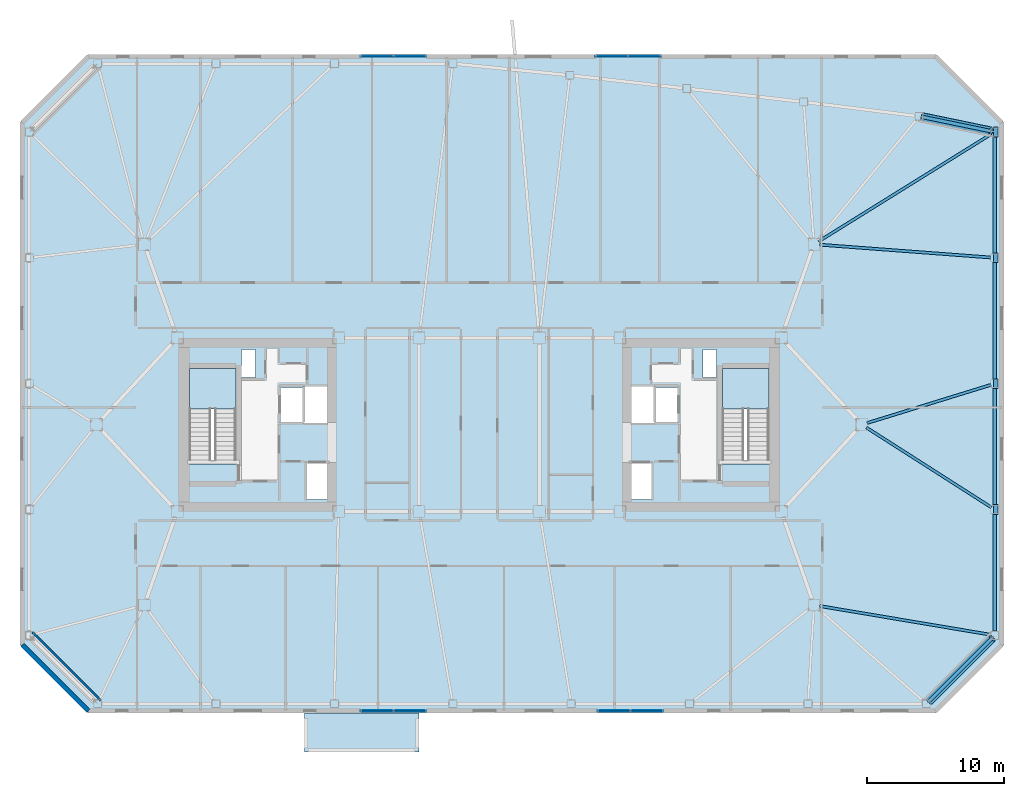
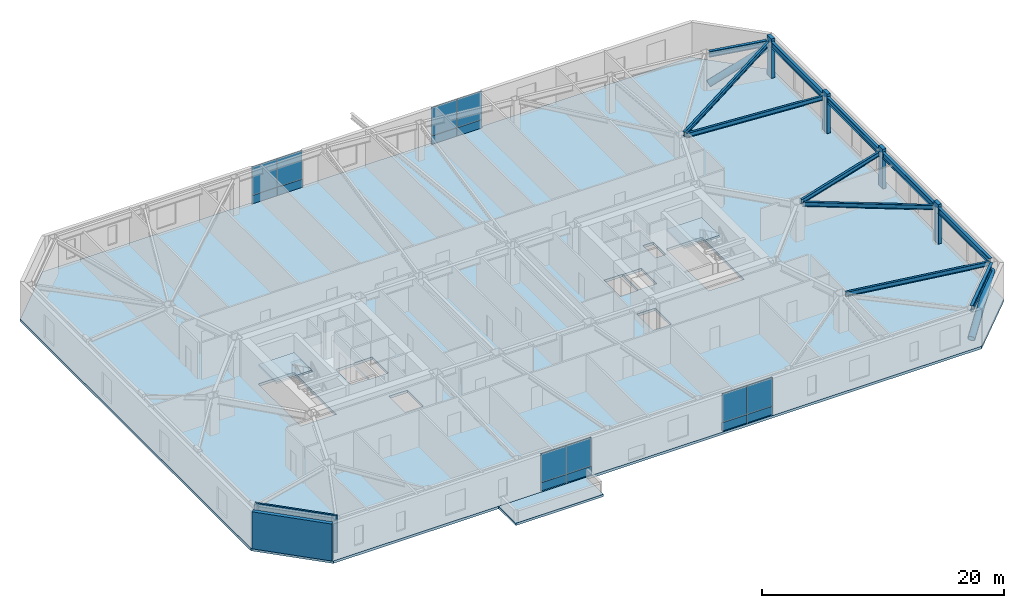
# One storey, part 9 of 18: 16 plates, 11 beams, 6 members, 4 slabs, 2 walls, 6 elements without a shape of their own.
"""IFC4 building model written with IfcOpenShell, lengths in metres."""

from ifc_helpers import new_model, si_unit, direction, frame, frame_2d, origin, origin_2d, place, context, subcontext, project, spatial, polyline, rectangle, hollow_circle, i_section, outline, extrude, material, layer, layer_set, material_profile, profile_set, type_object, element, aggregate, save


model = new_model("IFC4")

# Units and contexts
model_context = context("Model", 3, precision=1e-05, world=origin(), true_north=direction((0.0, 1.0)))
body_context = subcontext(model_context, "Body", "Model", "MODEL_VIEW")
ifc_project = project(units=[si_unit("LENGTHUNIT", "METRE"), si_unit("AREAUNIT", "SQUARE_METRE"), si_unit("VOLUMEUNIT", "CUBIC_METRE"), si_unit("PLANEANGLEUNIT", "RADIAN"), si_unit("MASSUNIT", "GRAM", prefix="KILO")], contexts=[model_context])

# Site, building, storey
site_placement = place(None, origin())
site = spatial("IfcSite", under=ifc_project, at=site_placement, CompositionType="ELEMENT")
building_placement = place(site_placement, origin())
building = spatial("IfcBuilding", under=site, at=building_placement, Name="Tavrogorsk Clinical Tower", CompositionType="ELEMENT")
storey_placement = place(building_placement, frame((0.0, 0.0, 168.199951171875)))
storey = spatial("IfcBuildingStorey", under=building, at=storey_placement, Name="L38", CompositionType="ELEMENT", Elevation=168.199951171875)

# Members
ifc_material_1 = material(Name="Structural steel S440", Category="steel")
ifc_material_profile_1 = material_profile(ifc_material_1, hollow_circle(Radius=0.304931640625, WallThickness=0.02490234375, at=origin_2d()), Name="CHS-610x25")
ifc_profile_set_1 = profile_set([ifc_material_profile_1], Name="Structural steel S440")
member_type_1 = type_object("IfcMemberType", Name="ExoBrace_CHS610", PredefinedType="BRACE", material=ifc_profile_set_1)
member_1_placement = place(storey_placement, frame((32.922607421875, -20.217529296875, 0.4130859375), z_axis=(0.657738695475, 0.657773644396, 0.3670335696), x_axis=(-0.707125566484, 0.70708799539, 0.0)))
element("IfcMember", 1, at=member_1_placement, inside=storey, type_object=member_type_1, Name="L38 Corner Exoskeleton Brace S8-E1", PredefinedType="BRACE", context=body_context, shape_type="SweptSolid", body=[
    extrude(hollow_circle(Radius=0.304931640625, WallThickness=0.02490234375, at=origin_2d()), origin(), (0.0, 0.0, 1.0), 6.985595703125),
])
member_2_placement = place(storey_placement, frame((32.461669921875, 22.509765625, 0.4365234375), z_axis=(0.877871206027, -0.181924853718, 0.442996042002), x_axis=(0.202922555913, 0.979194789764, 0.0)))
element("IfcMember", 2, at=member_2_placement, inside=storey, type_object=member_type_1, Name="L38 Corner Exoskeleton Brace E5-N1", PredefinedType="BRACE", context=body_context, shape_type="SweptSolid", body=[
    extrude(hollow_circle(Radius=0.304931640625, WallThickness=0.02490234375, at=origin_2d()), origin(), (0.0, 0.0, 1.0), 5.681884765625),
])

# Beams
ifc_material_2 = material(Name="Structural steel S355", Category="steel")
ifc_material_profile_2 = material_profile(ifc_material_2, i_section(OverallWidth=0.199951171875, OverallDepth=0.449951171875, WebThickness=0.011474609375, FlangeThickness=0.01806640625, at=origin_2d()), Name="B-450x200x11.5x18")
ifc_profile_set_2 = profile_set([ifc_material_profile_2], Name="Structural steel S355")
beam_type_1 = type_object("IfcBeamType", Name="FloorBeam_B450", PredefinedType="BEAM", material=ifc_profile_set_2)
beam_1_placement = place(storey_placement, frame((24.904296875, -13.267822265625, 3.51513671875), z_axis=(0.98619191169, -0.165606501434, 0.0), x_axis=(0.165606501434, 0.98619191169, 0.0)))
element("IfcBeam", 3, at=beam_1_placement, inside=storey, type_object=beam_type_1, Name="L38 Radial Floor Beam E1", PredefinedType="BEAM", context=body_context, shape_type="SweptSolid", body=[
    extrude(i_section(OverallWidth=0.199951171875, OverallDepth=0.449951171875, WebThickness=0.011474609375, FlangeThickness=0.01806640625, at=origin_2d()), origin(), (0.0, 0.0, 1.0), 12.687255859375),
])
beam_2_placement = place(storey_placement, frame((28.345458984375, -0.220703125, 3.51513671875), z_axis=(0.842695406435, -0.538390612821, 0.0), x_axis=(0.538390612821, 0.842695406435, 0.0)))
element("IfcBeam", 4, at=beam_2_placement, inside=storey, type_object=beam_type_1, Name="L38 Radial Floor Beam E2", PredefinedType="BEAM", context=body_context, shape_type="SweptSolid", body=[
    extrude(i_section(OverallWidth=0.199951171875, OverallDepth=0.449951171875, WebThickness=0.011474609375, FlangeThickness=0.01806640625, at=origin_2d()), origin(), (0.0, 0.0, 1.0), 10.81640625),
])
beam_3_placement = place(storey_placement, frame((28.391845703125, 0.120849609375, 3.51513671875), z_axis=(0.955521252098, 0.294922255499, 0.0), x_axis=(-0.294922255499, 0.955521252098, 0.0)))
element("IfcBeam", 5, at=beam_3_placement, inside=storey, type_object=beam_type_1, Name="L38 Radial Floor Beam E3", PredefinedType="BEAM", context=body_context, shape_type="SweptSolid", body=[
    extrude(i_section(OverallWidth=0.199951171875, OverallDepth=0.449951171875, WebThickness=0.011474609375, FlangeThickness=0.01806640625, at=origin_2d()), origin(), (0.0, 0.0, 1.0), 9.454345703125),
])
beam_4_placement = place(storey_placement, frame((24.908935546875, 13.16943359375, 3.51513671875), z_axis=(0.99720685587, -0.074689267009, 0.0), x_axis=(0.074689267009, 0.99720685587, 0.0)))
element("IfcBeam", 6, at=beam_4_placement, inside=storey, type_object=beam_type_1, Name="L38 Radial Floor Beam E4", PredefinedType="BEAM", context=body_context, shape_type="SweptSolid", body=[
    extrude(i_section(OverallWidth=0.199951171875, OverallDepth=0.449951171875, WebThickness=0.011474609375, FlangeThickness=0.01806640625, at=origin_2d()), origin(), (0.0, 0.0, 1.0), 12.538818359375),
])
beam_5_placement = place(storey_placement, frame((24.84814453125, 13.41650390625, 3.51513671875), z_axis=(0.849226346116, 0.528028988846, 0.0), x_axis=(-0.528028988846, 0.849226346116, 0.0)))
element("IfcBeam", 7, at=beam_5_placement, inside=storey, type_object=beam_type_1, Name="L38 Radial Floor Beam E5", PredefinedType="BEAM", context=body_context, shape_type="SweptSolid", body=[
    extrude(i_section(OverallWidth=0.199951171875, OverallDepth=0.449951171875, WebThickness=0.011474609375, FlangeThickness=0.01806640625, at=origin_2d()), origin(), (0.0, 0.0, 1.0), 14.84912109375),
])

# Members
ifc_material_3 = material(Name="Precast concrete B45 with limestone cladding", Category="masonry")
ifc_material_profile_3 = material_profile(ifc_material_3, rectangle(XDim=0.320068359375, YDim=0.719970703125, at=origin_2d()), Name="LIMESTONE-FIN-320x720")
ifc_profile_set_3 = profile_set([ifc_material_profile_3], Name="Precast concrete B45 with limestone cladding")
member_type_2 = type_object("IfcMemberType", Name="LimestonePleatFin_320x720", PredefinedType="USERDEFINED", material=ifc_profile_set_3)
for number, where, z_axis, x_axis, name in (
    (8, (37.800048828125, -6.2099609375, 0.0), (0.0, 0.0, 1.0), (1.0, 0.0, 0.0), "L38 E Pleated Stone Fin 1"),
    (9, (37.800048828125, 3.0, 0.0), (0.0, 0.0, 1.0), (1.0, 0.0, 0.0), "L38 E Pleated Stone Fin 2"),
    (10, (37.800048828125, 12.2099609375, 0.0), (0.0, 0.0, 1.0), (1.0, 0.0, 0.0), "L38 E Pleated Stone Fin 3"),
    (11, (37.800048828125, 21.419921875, 0.0), (0.0, 0.0, 1.0), (1.0, 0.0, 0.0), "L38 E Pleated Stone Fin 4"),
):
    element("IfcMember", number, at=place(storey_placement, frame(where, z_axis=z_axis, x_axis=x_axis)), inside=storey, type_object=member_type_2, Name=name, ObjectType="FIN", PredefinedType="USERDEFINED", context=body_context, shape_type="SweptSolid", body=[
        extrude(rectangle(XDim=0.320068359375, YDim=0.719970703125, at=origin_2d()), origin(), (0.0, 0.0, 1.0), 4.0),
    ])

# Beams
ifc_material_4 = material(Name="Structural steel S390", Category="steel")
ifc_material_profile_4 = material_profile(ifc_material_4, i_section(OverallWidth=0.260009765625, OverallDepth=0.60009765625, WebThickness=0.014892578125, FlangeThickness=0.02392578125, at=origin_2d()), Name="B-600x260x15x24")
ifc_profile_set_4 = profile_set([ifc_material_profile_4], Name="Structural steel S390")
beam_type_2 = type_object("IfcBeamType", Name="SpandrelBeam_B600", PredefinedType="SPANDREL", material=ifc_profile_set_4)
beam_6_placement = place(storey_placement, frame((32.937744140625, -20.2021484375, 3.43994140625), z_axis=(0.707106781187, 0.707106781187, 0.0), x_axis=(-0.707106781187, 0.707106781187, 0.0)))
element("IfcBeam", 12, at=beam_6_placement, inside=storey, type_object=beam_type_2, Name="L38 Perimeter Spandrel S8-E1", PredefinedType="SPANDREL", context=body_context, shape_type="SweptSolid", body=[
    extrude(i_section(OverallWidth=0.260009765625, OverallDepth=0.60009765625, WebThickness=0.014892578125, FlangeThickness=0.02392578125, at=origin_2d()), origin(), (0.0, 0.0, 1.0), 6.455078125),
])
for number, where, z_axis, x_axis, name in (
    (13, (37.719970703125, -15.112060546875, 3.43994140625), (0.0, 1.0, 0.0), (-1.0, 0.0, 0.0), "L38 Perimeter Spandrel E1-E2"),
    (14, (37.719970703125, -5.902099609375, 3.43994140625), (0.0, 1.0, 0.0), (-1.0, 0.0, 0.0), "L38 Perimeter Spandrel E2-E3"),
    (15, (37.719970703125, 3.30810546875, 3.43994140625), (0.0, 1.0, 0.0), (-1.0, 0.0, 0.0), "L38 Perimeter Spandrel E3-E4"),
    (16, (37.719970703125, 12.51806640625, 3.43994140625), (0.0, 1.0, 0.0), (-1.0, 0.0, 0.0), "L38 Perimeter Spandrel E4-E5"),
):
    element("IfcBeam", number, at=place(storey_placement, frame(where, z_axis=z_axis, x_axis=x_axis)), inside=storey, type_object=beam_type_2, Name=name, PredefinedType="SPANDREL", context=body_context, shape_type="SweptSolid", body=[
        extrude(i_section(OverallWidth=0.260009765625, OverallDepth=0.60009765625, WebThickness=0.014892578125, FlangeThickness=0.02392578125, at=origin_2d()), origin(), (0.0, 0.0, 1.0), 8.593994140625),
    ])
beam_7_placement = place(storey_placement, frame((37.41845703125, 21.482421875, 3.43994140625), z_axis=(-0.979184643877, 0.202971508337, 0.0), x_axis=(-0.202971508337, -0.979184643877, 0.0)))
element("IfcBeam", 17, at=beam_7_placement, inside=storey, type_object=beam_type_2, Name="L38 Perimeter Spandrel E5-N1", PredefinedType="SPANDREL", context=body_context, shape_type="SweptSolid", body=[
    extrude(i_section(OverallWidth=0.260009765625, OverallDepth=0.60009765625, WebThickness=0.014892578125, FlangeThickness=0.02392578125, at=origin_2d()), origin(), (0.0, 0.0, 1.0), 5.0302734375),
])

# Curtain wall, plates
ifc_material_5 = material(Name="Anodised aluminium and triple IGU glazing", Category="aluminium")
ifc_layer_1 = layer(ifc_material_5, 0.179931640625)
ifc_layer_set_1 = layer_set([ifc_layer_1], Name="Anodised aluminium and triple IGU glazing")
curtain_wall_type_1 = type_object("IfcCurtainWallType", Name="CW3_SouthSlot", PredefinedType="NOTDEFINED", material=ifc_layer_set_1)
curtain_wall_1_placement = place(storey_placement, origin())
curtain_wall_1 = element("IfcCurtainWall", 18, at=curtain_wall_1_placement, inside=storey, type_object=curtain_wall_type_1, Name="L38 Curtain Wall CW-L38-S-SLOT-1", PredefinedType="NOTDEFINED")
ifc_material_6 = material(Name="Honed Podolsk limestone spandrel panel", Category="masonry")
ifc_layer_2 = layer(ifc_material_6, 0.080078125)
ifc_layer_set_2 = layer_set([ifc_layer_2], Name="Honed Podolsk limestone spandrel panel")
plate_type_1 = type_object("IfcPlateType", Name="CwSpandrelStonePanel_80", PredefinedType="CURTAIN_PANEL", material=ifc_layer_set_2)
plate_1_placement = place(storey_placement, frame((-7.470947265625, -20.929931640625, 0.002197265625), z_axis=(0.0, 0.0, 1.0), x_axis=(1.0, 0.0, 0.0)))
plate_1 = element("IfcPlate", 19, at=plate_1_placement, type_object=plate_type_1, Name="CW-L38-S-SLOT-1 Stone Spandrel Panel 1", PredefinedType="CURTAIN_PANEL", context=body_context, shape_type="SweptSolid", body=[
    extrude(rectangle(XDim=2.39208984375, YDim=0.080078125, at=origin_2d()), origin(), (0.0, 0.0, 1.0), 0.8359375),
])
plate_2_placement = place(storey_placement, frame((-5.054931640625, -20.929931640625, 0.002197265625), z_axis=(0.0, 0.0, 1.0), x_axis=(1.0, 0.0, 0.0)))
plate_2 = element("IfcPlate", 20, at=plate_2_placement, type_object=plate_type_1, Name="CW-L38-S-SLOT-1 Stone Spandrel Panel 2", PredefinedType="CURTAIN_PANEL", context=body_context, shape_type="SweptSolid", body=[
    extrude(rectangle(XDim=2.39208984375, YDim=0.080078125, at=origin_2d()), origin(), (0.0, 0.0, 1.0), 0.8359375),
])

curtain_wall_2_placement = place(storey_placement, origin())
curtain_wall_2 = element("IfcCurtainWall", 21, at=curtain_wall_2_placement, inside=storey, type_object=curtain_wall_type_1, Name="L38 Curtain Wall CW-L38-S-SLOT-2", PredefinedType="NOTDEFINED")
plate_3_placement = place(storey_placement, frame((9.854736328125, -20.929931640625, 0.002197265625), z_axis=(0.0, 0.0, 1.0), x_axis=(1.0, 0.0, 0.0)))
plate_3 = element("IfcPlate", 22, at=plate_3_placement, type_object=plate_type_1, Name="CW-L38-S-SLOT-2 Stone Spandrel Panel 1", PredefinedType="CURTAIN_PANEL", context=body_context, shape_type="SweptSolid", body=[
    extrude(rectangle(XDim=2.39208984375, YDim=0.080078125, at=origin_2d()), origin(), (0.0, 0.0, 1.0), 0.8359375),
])
plate_4_placement = place(storey_placement, frame((12.270751953125, -20.929931640625, 0.002197265625), z_axis=(0.0, 0.0, 1.0), x_axis=(1.0, 0.0, 0.0)))
plate_4 = element("IfcPlate", 23, at=plate_4_placement, type_object=plate_type_1, Name="CW-L38-S-SLOT-2 Stone Spandrel Panel 2", PredefinedType="CURTAIN_PANEL", context=body_context, shape_type="SweptSolid", body=[
    extrude(rectangle(XDim=2.39208984375, YDim=0.080078125, at=origin_2d()), origin(), (0.0, 0.0, 1.0), 0.8359375),
])

ifc_material_7 = material(Name="Anodised aluminium and triple IGU glazing", Category="aluminium")
ifc_layer_3 = layer(ifc_material_7, 0.179931640625)
ifc_layer_set_3 = layer_set([ifc_layer_3], Name="Anodised aluminium and triple IGU glazing")
curtain_wall_type_2 = type_object("IfcCurtainWallType", Name="CW2_NorthSlot", PredefinedType="NOTDEFINED", material=ifc_layer_set_3)
curtain_wall_3_placement = place(storey_placement, origin())
curtain_wall_3 = element("IfcCurtainWall", 24, at=curtain_wall_3_placement, inside=storey, type_object=curtain_wall_type_2, Name="L38 Curtain Wall CW-L38-N-SLOT-1", PredefinedType="NOTDEFINED")
plate_5_placement = place(storey_placement, frame((-5.054931640625, 26.929931640625, 0.002197265625), z_axis=(0.0, 0.0, 1.0), x_axis=(-1.0, 0.0, 0.0)))
plate_5 = element("IfcPlate", 25, at=plate_5_placement, type_object=plate_type_1, Name="CW-L38-N-SLOT-1 Stone Spandrel Panel 1", PredefinedType="CURTAIN_PANEL", context=body_context, shape_type="SweptSolid", body=[
    extrude(rectangle(XDim=2.39208984375, YDim=0.080078125, at=origin_2d()), origin(), (0.0, 0.0, 1.0), 0.8359375),
])
plate_6_placement = place(storey_placement, frame((-7.470947265625, 26.929931640625, 0.002197265625), z_axis=(0.0, 0.0, 1.0), x_axis=(-1.0, 0.0, 0.0)))
plate_6 = element("IfcPlate", 26, at=plate_6_placement, type_object=plate_type_1, Name="CW-L38-N-SLOT-1 Stone Spandrel Panel 2", PredefinedType="CURTAIN_PANEL", context=body_context, shape_type="SweptSolid", body=[
    extrude(rectangle(XDim=2.39208984375, YDim=0.080078125, at=origin_2d()), origin(), (0.0, 0.0, 1.0), 0.8359375),
])

curtain_wall_4_placement = place(storey_placement, origin())
curtain_wall_4 = element("IfcCurtainWall", 27, at=curtain_wall_4_placement, inside=storey, type_object=curtain_wall_type_2, Name="L38 Curtain Wall CW-L38-N-SLOT-2", PredefinedType="NOTDEFINED")
plate_7_placement = place(storey_placement, frame((12.1181640625, 26.929931640625, 0.002197265625), z_axis=(0.0, 0.0, 1.0), x_axis=(-1.0, 0.0, 0.0)))
plate_7 = element("IfcPlate", 28, at=plate_7_placement, type_object=plate_type_1, Name="CW-L38-N-SLOT-2 Stone Spandrel Panel 1", PredefinedType="CURTAIN_PANEL", context=body_context, shape_type="SweptSolid", body=[
    extrude(rectangle(XDim=2.39208984375, YDim=0.080078125, at=origin_2d()), origin(), (0.0, 0.0, 1.0), 0.8359375),
])
plate_8_placement = place(storey_placement, frame((9.7021484375, 26.929931640625, 0.002197265625), z_axis=(0.0, 0.0, 1.0), x_axis=(-1.0, 0.0, 0.0)))
plate_8 = element("IfcPlate", 29, at=plate_8_placement, type_object=plate_type_1, Name="CW-L38-N-SLOT-2 Stone Spandrel Panel 2", PredefinedType="CURTAIN_PANEL", context=body_context, shape_type="SweptSolid", body=[
    extrude(rectangle(XDim=2.39208984375, YDim=0.080078125, at=origin_2d()), origin(), (0.0, 0.0, 1.0), 0.8359375),
])

# Plate
ifc_material_8 = material(Name="Triple low-E argon insulated glass", Category="glass")
ifc_layer_4 = layer(ifc_material_8, 0.048095703125)
ifc_layer_set_4 = layer_set([ifc_layer_4], Name="Triple low-E argon insulated glass")
plate_type_2 = type_object("IfcPlateType", Name="CwVisionGlassPanel_48", PredefinedType="CURTAIN_PANEL", material=ifc_layer_set_4)
plate_9_placement = place(storey_placement, frame((-7.470947265625, -20.929931640625, 0.862060546875), z_axis=(0.0, 0.0, 1.0), x_axis=(1.0, 0.0, 0.0)))
plate_9 = element("IfcPlate", 30, at=plate_9_placement, type_object=plate_type_2, Name="CW-L38-S-SLOT-1 Glazing Panel 1", PredefinedType="CURTAIN_PANEL", context=body_context, shape_type="SweptSolid", body=[
    extrude(rectangle(XDim=2.39208984375, YDim=0.048095703125, at=origin_2d()), origin(), (0.0, 0.0, 1.0), 2.8759765625),
])

plate_10_placement = place(storey_placement, frame((-5.054931640625, -20.929931640625, 0.862060546875), z_axis=(0.0, 0.0, 1.0), x_axis=(1.0, 0.0, 0.0)))
plate_10 = element("IfcPlate", 31, at=plate_10_placement, type_object=plate_type_2, Name="CW-L38-S-SLOT-1 Glazing Panel 2", PredefinedType="CURTAIN_PANEL", context=body_context, shape_type="SweptSolid", body=[
    extrude(rectangle(XDim=2.39208984375, YDim=0.048095703125, at=origin_2d()), origin(), (0.0, 0.0, 1.0), 2.8759765625),
])

aggregate(curtain_wall_1, [plate_1, plate_9, plate_2, plate_10])

plate_11_placement = place(storey_placement, frame((9.854736328125, -20.929931640625, 0.862060546875), z_axis=(0.0, 0.0, 1.0), x_axis=(1.0, 0.0, 0.0)))
plate_11 = element("IfcPlate", 32, at=plate_11_placement, type_object=plate_type_2, Name="CW-L38-S-SLOT-2 Glazing Panel 1", PredefinedType="CURTAIN_PANEL", context=body_context, shape_type="SweptSolid", body=[
    extrude(rectangle(XDim=2.39208984375, YDim=0.048095703125, at=origin_2d()), origin(), (0.0, 0.0, 1.0), 2.8759765625),
])

plate_12_placement = place(storey_placement, frame((12.270751953125, -20.929931640625, 0.862060546875), z_axis=(0.0, 0.0, 1.0), x_axis=(1.0, 0.0, 0.0)))
plate_12 = element("IfcPlate", 33, at=plate_12_placement, type_object=plate_type_2, Name="CW-L38-S-SLOT-2 Glazing Panel 2", PredefinedType="CURTAIN_PANEL", context=body_context, shape_type="SweptSolid", body=[
    extrude(rectangle(XDim=2.39208984375, YDim=0.048095703125, at=origin_2d()), origin(), (0.0, 0.0, 1.0), 2.8759765625),
])

aggregate(curtain_wall_2, [plate_3, plate_11, plate_4, plate_12])

plate_13_placement = place(storey_placement, frame((-5.054931640625, 26.929931640625, 0.862060546875), z_axis=(0.0, 0.0, 1.0), x_axis=(-1.0, 0.0, 0.0)))
plate_13 = element("IfcPlate", 34, at=plate_13_placement, type_object=plate_type_2, Name="CW-L38-N-SLOT-1 Glazing Panel 1", PredefinedType="CURTAIN_PANEL", context=body_context, shape_type="SweptSolid", body=[
    extrude(rectangle(XDim=2.39208984375, YDim=0.048095703125, at=origin_2d()), origin(), (0.0, 0.0, 1.0), 2.8759765625),
])

plate_14_placement = place(storey_placement, frame((-7.470947265625, 26.929931640625, 0.862060546875), z_axis=(0.0, 0.0, 1.0), x_axis=(-1.0, 0.0, 0.0)))
plate_14 = element("IfcPlate", 35, at=plate_14_placement, type_object=plate_type_2, Name="CW-L38-N-SLOT-1 Glazing Panel 2", PredefinedType="CURTAIN_PANEL", context=body_context, shape_type="SweptSolid", body=[
    extrude(rectangle(XDim=2.39208984375, YDim=0.048095703125, at=origin_2d()), origin(), (0.0, 0.0, 1.0), 2.8759765625),
])

aggregate(curtain_wall_3, [plate_5, plate_13, plate_6, plate_14])

plate_15_placement = place(storey_placement, frame((12.1181640625, 26.929931640625, 0.862060546875), z_axis=(0.0, 0.0, 1.0), x_axis=(-1.0, 0.0, 0.0)))
plate_15 = element("IfcPlate", 36, at=plate_15_placement, type_object=plate_type_2, Name="CW-L38-N-SLOT-2 Glazing Panel 1", PredefinedType="CURTAIN_PANEL", context=body_context, shape_type="SweptSolid", body=[
    extrude(rectangle(XDim=2.39208984375, YDim=0.048095703125, at=origin_2d()), origin(), (0.0, 0.0, 1.0), 2.8759765625),
])

plate_16_placement = place(storey_placement, frame((9.7021484375, 26.929931640625, 0.862060546875), z_axis=(0.0, 0.0, 1.0), x_axis=(-1.0, 0.0, 0.0)))
plate_16 = element("IfcPlate", 37, at=plate_16_placement, type_object=plate_type_2, Name="CW-L38-N-SLOT-2 Glazing Panel 2", PredefinedType="CURTAIN_PANEL", context=body_context, shape_type="SweptSolid", body=[
    extrude(rectangle(XDim=2.39208984375, YDim=0.048095703125, at=origin_2d()), origin(), (0.0, 0.0, 1.0), 2.8759765625),
])

aggregate(curtain_wall_4, [plate_7, plate_15, plate_8, plate_16])

# Slab
ifc_material_9 = material(Name="Concrete B60", Category="concrete")
ifc_layer_5 = layer(ifc_material_9, 0.239990234375)
ifc_layer_set_5 = layer_set([ifc_layer_5], Name="Concrete B60")
slab_type_1 = type_object("IfcSlabType", Name="DayroomSlab_240", PredefinedType="FLOOR", material=ifc_layer_set_5)
slab_1_placement = place(storey_placement, frame((0.0, 0.0, -0.239990234375)))
element("IfcSlab", 38, at=slab_1_placement, inside=storey, type_object=slab_type_1, Name="L38 Day-Room Box Roof DRB-05", PredefinedType="ROOF", context=body_context, shape_type="SweptSolid", body=[
    extrude(outline(polyline([(-4.39990234375, -23.949951171875), (-12.800048828125, -23.949951171875), (-12.800048828125, -21.10009765625), (-4.39990234375, -21.10009765625), (-4.39990234375, -23.949951171875)])), origin(), (0.0, 0.0, 1.0), 0.239990234375),
])

# Stair, slab
ifc_material_10 = material(Name="Concrete B60", Category="concrete")
stair_type = type_object("IfcStairType", Name="CoreStairAssembly", PredefinedType="HALF_TURN_STAIR", material=ifc_material_10)
stair_1_placement = place(storey_placement, origin())
stair_1 = element("IfcStair", 39, at=stair_1_placement, inside=storey, type_object=stair_type, Name="L38 ST-W", PredefinedType="HALF_TURN_STAIR")
ifc_material_11 = material(Name="Concrete B60", Category="concrete")
ifc_layer_6 = layer(ifc_material_11, 0.199951171875)
ifc_layer_set_6 = layer_set([ifc_layer_6], Name="Concrete B60")
slab_type_2 = type_object("IfcSlabType", Name="StairLanding_200", PredefinedType="LANDING", material=ifc_layer_set_6)
slab_2_placement = place(storey_placement, frame((0.0, 0.0, 1.800048828125)))
slab_2 = element("IfcSlab", 40, at=slab_2_placement, type_object=slab_type_2, Name="ST-W landing 1", PredefinedType="LANDING", context=body_context, shape_type="SweptSolid", body=[
    extrude(outline(polyline([(-17.800048828125, 1.1650390625), (-17.800048828125, 4.125), (-21.199951171875, 4.125), (-21.199951171875, 1.1650390625), (-17.800048828125, 1.1650390625)])), origin(), (0.0, 0.0, 1.0), 0.199951171875),
])
aggregate(stair_1, [slab_2])

stair_2_placement = place(storey_placement, origin())
stair_2 = element("IfcStair", 41, at=stair_2_placement, inside=storey, type_object=stair_type, Name="L38 ST-E", PredefinedType="HALF_TURN_STAIR")
slab_3_placement = place(storey_placement, frame((0.0, 0.0, 1.800048828125)))
slab_3 = element("IfcSlab", 42, at=slab_3_placement, type_object=slab_type_2, Name="ST-E landing 1", PredefinedType="LANDING", context=body_context, shape_type="SweptSolid", body=[
    extrude(outline(polyline([(21.199951171875, 1.1650390625), (21.199951171875, 4.125), (17.800048828125, 4.125), (17.800048828125, 1.1650390625), (21.199951171875, 1.1650390625)])), origin(), (0.0, 0.0, 1.0), 0.199951171875),
])
aggregate(stair_2, [slab_3])

# Slab
ifc_material_12 = material(Name="Concrete B60", Category="concrete")
ifc_layer_7 = layer(ifc_material_12, 0.260009765625)
ifc_layer_set_7 = layer_set([ifc_layer_7], Name="Concrete B60")
slab_type_3 = type_object("IfcSlabType", Name="WardSlab_260", PredefinedType="FLOOR", material=ifc_layer_set_7)
slab_4_placement = place(storey_placement, frame((0.0, 0.0, -0.260009765625)))
element("IfcSlab", 43, at=slab_4_placement, inside=storey, type_object=slab_type_3, Name="L38 Structural Slab", PredefinedType="FLOOR", context=body_context, shape_type="SweptSolid", body=[
    extrude(outline(polyline([(-28.60009765625, -21.10009765625), (33.39990234375, -21.10009765625), (38.39990234375, -16.10009765625), (38.39990234375, 22.10009765625), (33.39990234375, 27.10009765625), (-28.60009765625, 27.10009765625), (-33.60009765625, 22.10009765625), (-33.60009765625, -16.10009765625), (-28.60009765625, -21.10009765625)]), holes=[polyline([(-17.800048828125, -2.8798828125), (-17.800048828125, 4.125), (-21.199951171875, 4.125), (-21.199951171875, -2.8798828125), (-17.800048828125, -2.8798828125)]), polyline([(21.199951171875, -2.8798828125), (21.199951171875, 4.125), (17.800048828125, 4.125), (17.800048828125, -2.8798828125), (21.199951171875, -2.8798828125)]), polyline([(-14.6201171875, 0.169921875), (-12.860107421875, 0.169921875), (-12.860107421875, 2.72998046875), (-14.6201171875, 2.72998046875), (-14.6201171875, 0.169921875)]), polyline([(-12.72998046875, -5.47998046875), (-10.969970703125, -5.47998046875), (-10.969970703125, -2.820068359375), (-12.72998046875, -2.820068359375), (-12.72998046875, -5.47998046875)]), polyline([(-12.840087890625, 0.1201171875), (-11.080078125, 0.1201171875), (-11.080078125, 2.780029296875), (-12.840087890625, 2.780029296875), (-12.840087890625, 0.1201171875)]), polyline([(12.860107421875, 0.169921875), (14.6201171875, 0.169921875), (14.6201171875, 2.72998046875), (12.860107421875, 2.72998046875), (12.860107421875, 0.169921875)]), polyline([(10.969970703125, -5.47998046875), (12.72998046875, -5.47998046875), (12.72998046875, -2.820068359375), (10.969970703125, -2.820068359375), (10.969970703125, -5.47998046875)]), polyline([(11.080078125, 0.1201171875), (12.840087890625, 0.1201171875), (12.840087890625, 2.780029296875), (11.080078125, 2.780029296875), (11.080078125, 0.1201171875)]), polyline([(-17.3798828125, 3.449951171875), (-16.3798828125, 3.449951171875), (-16.3798828125, 5.5), (-17.3798828125, 5.5), (-17.3798828125, 3.449951171875)]), polyline([(16.3798828125, 3.449951171875), (17.3798828125, 3.449951171875), (17.3798828125, 5.5), (16.3798828125, 5.5), (16.3798828125, 3.449951171875)])]), origin(), (0.0, 0.0, 1.0), 0.260009765625),
])

# Walls
ifc_material_13 = material(Name="Lightweight concrete blockwork B15", Category="masonry")
ifc_layer_8 = layer(ifc_material_13, 0.159912109375)
ifc_layer_set_8 = layer_set([ifc_layer_8], Name="Lightweight concrete blockwork B15")
wall_type_1 = type_object("IfcWallType", Name="PartitionWall_160", PredefinedType="PARTITIONING", material=ifc_layer_set_8)
wall_1_placement = place(storey_placement, frame((-32.6796875, -15.1796875, 0.0), z_axis=(0.0, 0.0, 1.0), x_axis=(0.707106781187, -0.707106781187, 0.0)))
element("IfcWall", 44, at=wall_1_placement, inside=storey, type_object=wall_type_1, Name="L38 Corner Exoskeleton Brace Furring Wall 4", PredefinedType="PARTITIONING", context=body_context, shape_type="SweptSolid", body=[
    extrude(rectangle(XDim=7.071044921875, YDim=0.159912109375, at=frame_2d((3.53564453125, 0.0))), origin(), (0.0, 0.0, 1.0), 3.739990234375),
])
ifc_material_14 = material(Name="Precast concrete B45 with limestone cladding", Category="masonry")
ifc_layer_9 = layer(ifc_material_14, 0.340087890625)
ifc_layer_set_9 = layer_set([ifc_layer_9], Name="Precast concrete B45 with limestone cladding")
wall_type_2 = type_object("IfcWallType", Name="PrecastLimestoneWall_340", PredefinedType="STANDARD", material=ifc_layer_set_9)
wall_2_placement = place(storey_placement, frame((-33.429931640625, -16.10009765625, 0.0), z_axis=(0.0, 0.0, 1.0), x_axis=(0.707106781187, -0.707106781187, 0.0)))
element("IfcWall", 45, at=wall_2_placement, inside=storey, type_object=wall_type_2, Name="L38 Chamfered Corner Wall 4", PredefinedType="STANDARD", context=body_context, shape_type="SweptSolid", body=[
    extrude(rectangle(XDim=6.830322265625, YDim=0.340087890625, at=frame_2d((3.4150390625, 0.0))), origin(), (0.0, 0.0, 1.0), 3.739990234375),
])

save(model, "model.ifc")
